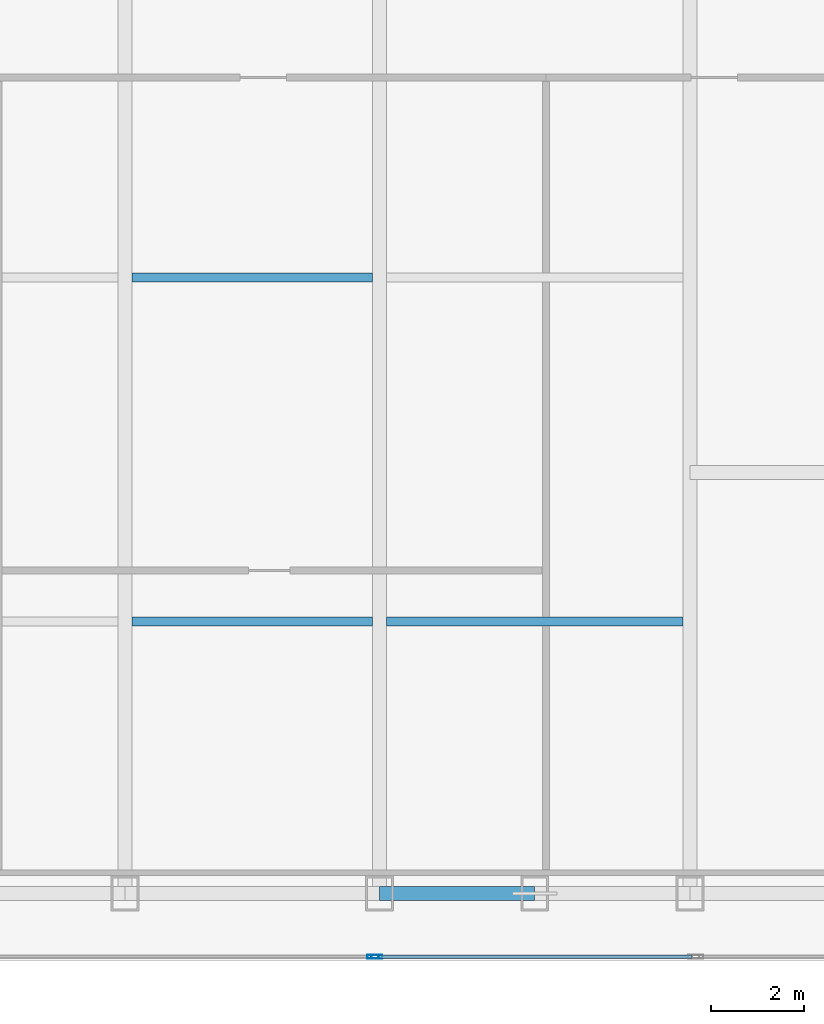
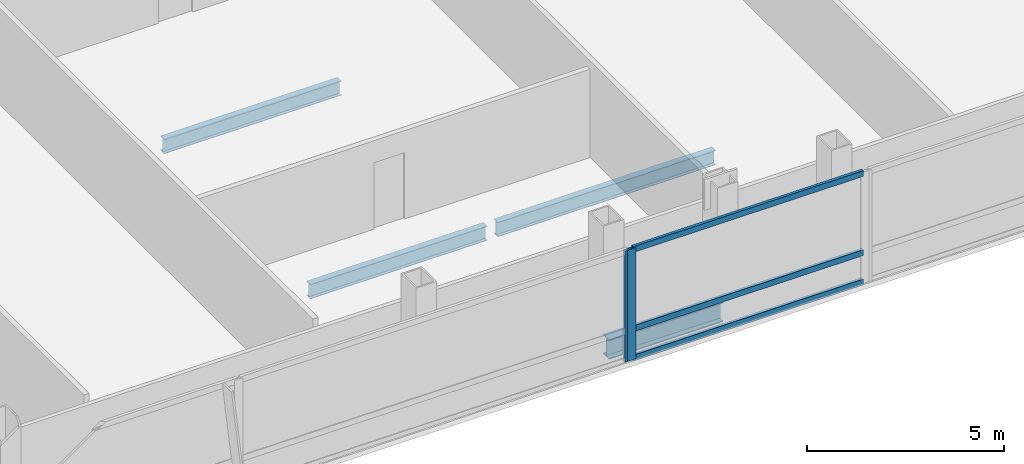
# One storey, part 12 of 30: 5 members, 4 beams, 2 elements without a shape of their own.
"""IFC4 building model written with IfcOpenShell, lengths in metres."""

from ifc_helpers import new_model, si_unit, direction, frame, origin, origin_2d, place, context, subcontext, project, spatial, hollow_rectangle, i_section, extrude, material, material_profile, profile_set, type_object, element, aggregate, save


model = new_model("IFC4")

# Units and contexts
model_context = context("Model", 3, precision=1e-05, world=origin(), true_north=direction((0.0, 1.0)))
body_context = subcontext(model_context, "Body", "Model", "MODEL_VIEW")
ifc_project = project(units=[si_unit("LENGTHUNIT", "METRE"), si_unit("AREAUNIT", "SQUARE_METRE"), si_unit("VOLUMEUNIT", "CUBIC_METRE"), si_unit("PLANEANGLEUNIT", "RADIAN"), si_unit("MASSUNIT", "GRAM", prefix="KILO")], contexts=[model_context])

# Site, building, storey
site_placement = place(None, origin())
site = spatial("IfcSite", under=ifc_project, at=site_placement, CompositionType="ELEMENT")
building_placement = place(site_placement, origin())
building = spatial("IfcBuilding", under=site, at=building_placement, Name="Khoronbel Lancet Exchange", CompositionType="ELEMENT")
storey_placement = place(building_placement, frame((0.0, 0.0, 206.60009765625)))
storey = spatial("IfcBuildingStorey", under=building, at=storey_placement, Name="L52", CompositionType="ELEMENT", Elevation=206.60009765625)

# Beams
ifc_material_1 = material(Name="Steel S355", Category="steel")
ifc_material_profile_1 = material_profile(ifc_material_1, i_section(OverallWidth=0.18994140625, OverallDepth=0.449951171875, WebThickness=0.009521484375, FlangeThickness=0.0146484375, at=origin_2d()), Name="IPE 450")
ifc_profile_set_1 = profile_set([ifc_material_profile_1], Name="Steel S355")
beam_type_1 = type_object("IfcBeamType", Name="BM-BJ4", PredefinedType="JOIST", material=ifc_profile_set_1)
beam_1_placement = place(storey_placement, frame((42.675048828125, 16.0, -0.385009765625), z_axis=(1.0, 0.0, 0.0), x_axis=(0.0, 1.0, 0.0)))
element("IfcBeam", 1, at=beam_1_placement, inside=storey, type_object=beam_type_1, Name="Level L52 secondary composite joist J04", PredefinedType="JOIST", context=body_context, shape_type="SweptSolid", body=[
    extrude(i_section(OverallWidth=0.18994140625, OverallDepth=0.449951171875, WebThickness=0.009521484375, FlangeThickness=0.0146484375, at=origin_2d()), origin(), (0.0, 0.0, 1.0), 5.175048828125),
])
beam_2_placement = place(storey_placement, frame((48.14990234375, 16.0, -0.385009765625), z_axis=(1.0, 0.0, 0.0), x_axis=(0.0, 1.0, 0.0)))
element("IfcBeam", 2, at=beam_2_placement, inside=storey, type_object=beam_type_1, Name="Level L52 secondary composite joist J05", PredefinedType="JOIST", context=body_context, shape_type="SweptSolid", body=[
    extrude(i_section(OverallWidth=0.18994140625, OverallDepth=0.449951171875, WebThickness=0.009521484375, FlangeThickness=0.0146484375, at=origin_2d()), origin(), (0.0, 0.0, 1.0), 6.375),
])
beam_3_placement = place(storey_placement, frame((42.675048828125, 23.39990234375, -0.385009765625), z_axis=(1.0, 0.0, 0.0), x_axis=(0.0, 1.0, 0.0)))
element("IfcBeam", 3, at=beam_3_placement, inside=storey, type_object=beam_type_1, Name="Level L52 secondary composite joist J09", PredefinedType="JOIST", context=body_context, shape_type="SweptSolid", body=[
    extrude(i_section(OverallWidth=0.18994140625, OverallDepth=0.449951171875, WebThickness=0.009521484375, FlangeThickness=0.0146484375, at=origin_2d()), origin(), (0.0, 0.0, 1.0), 5.175048828125),
])
ifc_material_profile_2 = material_profile(ifc_material_1, i_section(OverallWidth=0.300048828125, OverallDepth=0.60009765625, WebThickness=0.015380859375, FlangeThickness=0.030029296875, at=origin_2d()), Name="HEB 600")
ifc_profile_set_2 = profile_set([ifc_material_profile_2], Name="Steel S355")
beam_type_2 = type_object("IfcBeamType", Name="BM-BSP2", PredefinedType="SPANDREL", material=ifc_profile_set_2)
beam_4_placement = place(storey_placement, frame((48.0, 10.14990234375, -0.460205078125), z_axis=(1.0, 0.0, 0.0), x_axis=(0.0, 1.0, 0.0)))
element("IfcBeam", 4, at=beam_4_placement, inside=storey, type_object=beam_type_2, Name="Level L52 perimeter spandrel beam SP07", PredefinedType="SPANDREL", context=body_context, shape_type="SweptSolid", body=[
    extrude(i_section(OverallWidth=0.300048828125, OverallDepth=0.60009765625, WebThickness=0.015380859375, FlangeThickness=0.030029296875, at=origin_2d()), origin(), (0.0, 0.0, 1.0), 3.33740234375),
])

# Curtain wall, member
ifc_material_2 = material(Name="Low-E Solar Control Insulating Glass", Category="glass")
curtain_wall_type = type_object("IfcCurtainWallType", Name="CW-3", PredefinedType="NOTDEFINED", material=ifc_material_2)
curtain_wall_1_placement = place(storey_placement, origin())
curtain_wall_1 = element("IfcCurtainWall", 5, at=curtain_wall_1_placement, inside=storey, type_object=curtain_wall_type, Name="Unitised curtain wall CW-L52-SCV", PredefinedType="NOTDEFINED")
ifc_material_3 = material(Name="Bronze-Anodised Aluminium 6063-T6", Category="aluminium")
ifc_material_profile_3 = material_profile(ifc_material_3, hollow_rectangle(XDim=0.0849609375, YDim=0.239990234375, WallThickness=0.006103515625, at=origin_2d()), Name="ALU MULLION 85x240")
ifc_profile_set_3 = profile_set([ifc_material_profile_3], Name="Bronze-Anodised Aluminium 6063-T6")
member_type_1 = type_object("IfcMemberType", Name="MEM-CWM1", PredefinedType="MULLION", material=ifc_profile_set_3)
member_1_placement = place(storey_placement, frame((47.857421875, 8.7900390625, 0.0), z_axis=(0.0, 0.0, 1.0), x_axis=(0.0, 1.0, 0.0)))
member_1 = element("IfcMember", 6, at=member_1_placement, type_object=member_type_1, Name="CW3 mullion 3", PredefinedType="MULLION", context=body_context, shape_type="SweptSolid", body=[
    extrude(hollow_rectangle(XDim=0.0849609375, YDim=0.239990234375, WallThickness=0.006103515625, at=origin_2d()), origin(), (0.0, 0.0, 1.0), 3.43994140625),
])
aggregate(curtain_wall_1, [member_1])

# Curtain wall, members
curtain_wall_2_placement = place(storey_placement, origin())
curtain_wall_2 = element("IfcCurtainWall", 7, at=curtain_wall_2_placement, inside=storey, type_object=curtain_wall_type, Name="Unitised curtain wall CW-L52-SEB", PredefinedType="NOTDEFINED")
member_2_placement = place(storey_placement, frame((47.9423828125, 8.7900390625, 0.0), z_axis=(0.0, 0.0, 1.0), x_axis=(0.0, 1.0, 0.0)))
member_2 = element("IfcMember", 8, at=member_2_placement, type_object=member_type_1, Name="CW3 mullion 1", PredefinedType="MULLION", context=body_context, shape_type="SweptSolid", body=[
    extrude(hollow_rectangle(XDim=0.0849609375, YDim=0.239990234375, WallThickness=0.006103515625, at=origin_2d()), origin(), (0.0, 0.0, 1.0), 3.43994140625),
])
ifc_material_profile_4 = material_profile(ifc_material_3, hollow_rectangle(XDim=0.0849609375, YDim=0.179931640625, WallThickness=0.0048828125, at=origin_2d()), Name="ALU TRANSOM 85x180")
ifc_profile_set_4 = profile_set([ifc_material_profile_4], Name="Bronze-Anodised Aluminium 6063-T6")
member_type_2 = type_object("IfcMemberType", Name="MEM-CWT1", PredefinedType="USERDEFINED", material=ifc_profile_set_4)
member_3_placement = place(storey_placement, frame((47.985107421875, 8.7900390625, 0.04248046875), z_axis=(1.0, 0.0, 0.0), x_axis=(0.0, 1.0, 0.0)))
member_3 = element("IfcMember", 9, at=member_3_placement, type_object=member_type_2, Name="CW3 transom 1.1", ObjectType="TRANSOM", PredefinedType="USERDEFINED", context=body_context, shape_type="SweptSolid", body=[
    extrude(hollow_rectangle(XDim=0.0849609375, YDim=0.179931640625, WallThickness=0.0048828125, at=origin_2d()), origin(), (0.0, 0.0, 1.0), 6.72998046875),
])
member_4_placement = place(storey_placement, frame((47.985107421875, 8.7900390625, 0.949951171875), z_axis=(1.0, 0.0, 0.0), x_axis=(0.0, 1.0, 0.0)))
member_4 = element("IfcMember", 10, at=member_4_placement, type_object=member_type_2, Name="CW3 transom 1.2", ObjectType="TRANSOM", PredefinedType="USERDEFINED", context=body_context, shape_type="SweptSolid", body=[
    extrude(hollow_rectangle(XDim=0.0849609375, YDim=0.179931640625, WallThickness=0.0048828125, at=origin_2d()), origin(), (0.0, 0.0, 1.0), 6.72998046875),
])
member_5_placement = place(storey_placement, frame((47.985107421875, 8.7900390625, 3.3974609375), z_axis=(1.0, 0.0, 0.0), x_axis=(0.0, 1.0, 0.0)))
member_5 = element("IfcMember", 11, at=member_5_placement, type_object=member_type_2, Name="CW3 transom 1.3", ObjectType="TRANSOM", PredefinedType="USERDEFINED", context=body_context, shape_type="SweptSolid", body=[
    extrude(hollow_rectangle(XDim=0.0849609375, YDim=0.179931640625, WallThickness=0.0048828125, at=origin_2d()), origin(), (0.0, 0.0, 1.0), 6.72998046875),
])
aggregate(curtain_wall_2, [member_2, member_3, member_4, member_5])

save(model, "model.ifc")
